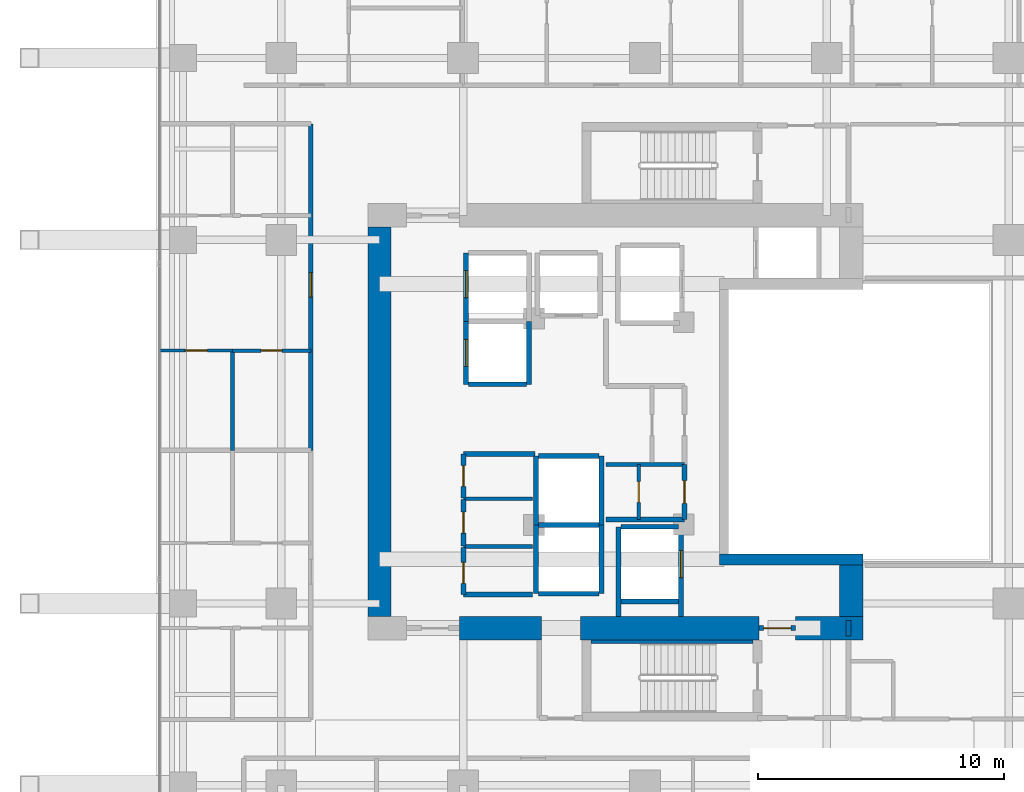
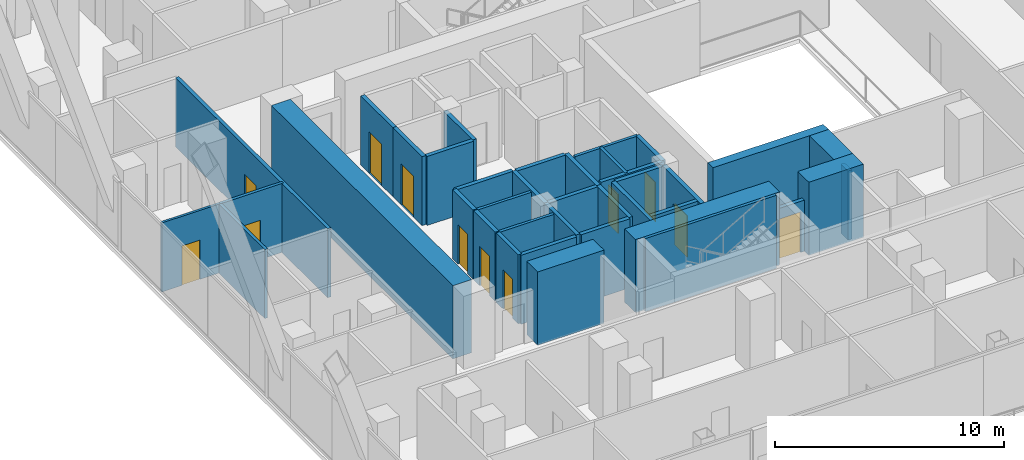
# One storey, part 25 of 32: 39 walls, 12 doors, 12 openings.
"""IFC4 building model written with IfcOpenShell, lengths in metres."""

from ifc_helpers import new_model, si_unit, direction, frame, frame_2d, origin, place, context, subcontext, project, spatial, rectangle, extrude, material, layer, layer_set, type_object, element, fill, save


model = new_model("IFC4")

# Units and contexts
model_context = context("Model", 3, precision=1e-05, world=origin(), true_north=direction((0.0, 1.0)))
body_context = subcontext(model_context, "Body", "Model", "MODEL_VIEW")
ifc_project = project(units=[si_unit("LENGTHUNIT", "METRE"), si_unit("AREAUNIT", "SQUARE_METRE"), si_unit("VOLUMEUNIT", "CUBIC_METRE"), si_unit("PLANEANGLEUNIT", "RADIAN"), si_unit("MASSUNIT", "GRAM", prefix="KILO")], contexts=[model_context])

# Site, building, storey
site_placement = place(None, origin())
site = spatial("IfcSite", under=ifc_project, at=site_placement, CompositionType="ELEMENT")
building_placement = place(site_placement, origin())
building = spatial("IfcBuilding", under=site, at=building_placement, Name="Khorvyn Point Tower", CompositionType="ELEMENT")
storey_placement = place(building_placement, frame((0.0, 0.0, 148.5)))
storey = spatial("IfcBuildingStorey", under=building, at=storey_placement, Name="L37", CompositionType="ELEMENT", Elevation=148.5)

# Wall, opening, door
ifc_material_1 = material(Name="Double acoustic gypsum on twin steel stud", Category="steel")
ifc_layer_1 = layer(ifc_material_1, 0.179931640625)
ifc_layer_set_1 = layer_set([ifc_layer_1], Name="Acoustic Double-Stud Apartment Demising Wall 180")
wall_type_1 = type_object("IfcWallType", Name="Acoustic Double-Stud Apartment Demising Wall 180", PredefinedType="PARTITIONING", material=ifc_layer_set_1)
wall_1_placement = place(storey_placement, frame((-13.60009765625, -1.1640625, 0.0), z_axis=(0.0, 0.0, 1.0), x_axis=(0.0, 1.0, 0.0)))
wall_1 = element("IfcWall", 1, at=wall_1_placement, inside=storey, type_object=wall_type_1, Name="Wall", PredefinedType="PARTITIONING", context=body_context, shape_type="SweptSolid", body=[
    extrude(rectangle(XDim=13.2841796875, YDim=0.179931640625, at=frame_2d((6.64208984375, 0.0))), origin(), (0.0, 0.0, 1.0), 3.679931640625),
])
opening_1_placement = place(wall_1_placement, frame((6.231201171875, 0.0, 0.0)))
opening_1 = element("IfcOpeningElement", 2, at=opening_1_placement, cuts=wall_1, Name="Opening ID-AP60", PredefinedType="OPENING", context=body_context, shape_type="SweptSolid", body=[
    extrude(rectangle(XDim=1.0, YDim=2.199951171875, at=frame_2d((0.5, 1.10009765625))), frame((0.0, 0.099853515625, 0.0), z_axis=(0.0, -1.0, 0.0), x_axis=(1.0, 0.0, 0.0)), (0.0, 0.0, 1.0), 0.199951171875),
])
ifc_material_2 = material(Name="Engineered hardwood fire-rated leaf", Category="wood")
door_type_1 = type_object("IfcDoorType", Name="Acoustic Solid-Core Timber Apartment Entrance Door 1000x2200", OperationType="NOTDEFINED", PredefinedType="DOOR", material=ifc_material_2)
door_1_placement = place(opening_1_placement, origin())
door_1 = element("IfcDoor", 3, at=door_1_placement, inside=storey, type_object=door_type_1, Name="Door", OperationType="SINGLE_SWING_LEFT", OverallHeight=2.199951171875, OverallWidth=1.0, PredefinedType="DOOR", context=body_context, shape_type="SweptSolid", body=[
    extrude(rectangle(XDim=1.0, YDim=2.199951171875, at=frame_2d((0.5, 1.10009765625))), frame((0.0, 0.02490234375, 0.0), z_axis=(0.0, -1.0, 0.0), x_axis=(1.0, 0.0, 0.0)), (0.0, 0.0, 1.0), 0.050048828125),
])
fill(opening_1, door_1)

# Wall
ifc_material_3 = material(Name="Concrete C40/50", Category="concrete")
ifc_layer_2 = layer(ifc_material_3, 0.449951171875)
ifc_layer_set_2 = layer_set([ifc_layer_2], Name="Concrete C40/50 Core Shear Wall 450")
wall_type_2 = type_object("IfcWallType", Name="Concrete C40/50 Core Shear Wall 450", PredefinedType="SHEAR", material=ifc_layer_set_2)
wall_2_placement = place(storey_placement, frame((3.044921875, -5.60009765625, 0.0), z_axis=(0.0, 0.0, 1.0), x_axis=(1.0, 0.0, 0.0)))
element("IfcWall", 4, at=wall_2_placement, inside=storey, type_object=wall_type_2, Name="Wall", PredefinedType="SHEAR", context=body_context, shape_type="SweptSolid", body=[
    extrude(rectangle(XDim=5.830078125, YDim=0.449951171875, at=frame_2d((2.9150390625, 0.0))), origin(), (0.0, 0.0, 1.0), 3.89990234375),
])

# Wall, opening, door
ifc_layer_3 = layer(ifc_material_3, 0.199951171875)
ifc_layer_set_3 = layer_set([ifc_layer_3], Name="Concrete C40/50 Fire-Lobby Compartment Wall 200")
wall_type_3 = type_object("IfcWallType", Name="Concrete C40/50 Fire-Lobby Compartment Wall 200", PredefinedType="SOLIDWALL", material=ifc_layer_set_3)
wall_3_placement = place(storey_placement, frame((4.64990234375, -8.39990234375, 0.0), z_axis=(0.0, 0.0, 1.0), x_axis=(1.0, 0.0, 0.0)))
wall_3 = element("IfcWall", 5, at=wall_3_placement, inside=storey, type_object=wall_type_3, Name="Wall", PredefinedType="SOLIDWALL", context=body_context, shape_type="SweptSolid", body=[
    extrude(rectangle(XDim=1.47021484375, YDim=0.199951171875, at=frame_2d((0.735107421875, 0.0))), origin(), (0.0, 0.0, 1.0), 2.719970703125),
])
opening_2_placement = place(wall_3_placement, frame((0.18505859375, 0.0, 0.0)))
opening_2 = element("IfcOpeningElement", 6, at=opening_2_placement, cuts=wall_3, Name="Opening ID-FL90", PredefinedType="OPENING", context=body_context, shape_type="SweptSolid", body=[
    extrude(rectangle(XDim=1.10009765625, YDim=2.14990234375, at=frame_2d((0.550048828125, 1.074951171875))), frame((0.0, 0.10986328125, 0.0), z_axis=(0.0, -1.0, 0.0), x_axis=(1.0, 0.0, 0.0)), (0.0, 0.0, 1.0), 0.219970703125),
])
ifc_material_4 = material(Name="Galvanised powder-coated steel", Category="steel")
door_type_2 = type_object("IfcDoorType", Name="Fire-Rated Steel Lobby and Stair Door 1100x2150", OperationType="NOTDEFINED", PredefinedType="DOOR", material=ifc_material_4)
door_2_placement = place(opening_2_placement, origin())
door_2 = element("IfcDoor", 7, at=door_2_placement, inside=storey, type_object=door_type_2, Name="Door", OperationType="SINGLE_SWING_RIGHT", OverallHeight=2.14990234375, OverallWidth=1.10009765625, PredefinedType="DOOR", context=body_context, shape_type="SweptSolid", body=[
    extrude(rectangle(XDim=1.10009765625, YDim=2.14990234375, at=frame_2d((0.550048828125, 1.074951171875))), frame((0.0, 0.02490234375, 0.0), z_axis=(0.0, -1.0, 0.0), x_axis=(1.0, 0.0, 0.0)), (0.0, 0.0, 1.0), 0.050048828125),
])
fill(opening_2, door_2)

wall_4_placement = place(storey_placement, frame((1.610107421875, -3.97998046875, 0.0), z_axis=(0.0, 0.0, 1.0), x_axis=(0.0, 1.0, 0.0)))
wall_4 = element("IfcWall", 8, at=wall_4_placement, inside=storey, type_object=wall_type_3, Name="Wall", PredefinedType="SOLIDWALL", context=body_context, shape_type="SweptSolid", body=[
    extrude(rectangle(XDim=2.240966796875, YDim=0.199951171875, at=frame_2d((1.12060546875, 0.0))), origin(), (0.0, 0.0, 1.0), 3.679931640625),
])
opening_3_placement = place(wall_4_placement, frame((0.660400390625, 0.0, 0.0)))
opening_3 = element("IfcOpeningElement", 9, at=opening_3_placement, cuts=wall_4, Name="Opening ID-RS60", PredefinedType="OPENING", context=body_context, shape_type="SweptSolid", body=[
    extrude(rectangle(XDim=0.919921875, YDim=2.10009765625, at=frame_2d((0.4599609375, 1.050048828125))), frame((0.0, 0.10986328125, 0.0), z_axis=(0.0, -1.0, 0.0), x_axis=(1.0, 0.0, 0.0)), (0.0, 0.0, 1.0), 0.219970703125),
])
door_type_3 = type_object("IfcDoorType", Name="Fire-Rated Riser and Store Steel Door 920x2100", OperationType="NOTDEFINED", PredefinedType="DOOR", material=ifc_material_4)
door_3_placement = place(opening_3_placement, origin())
door_3 = element("IfcDoor", 10, at=door_3_placement, inside=storey, type_object=door_type_3, Name="Door", OperationType="SINGLE_SWING_LEFT", OverallHeight=2.10009765625, OverallWidth=0.919921875, PredefinedType="DOOR", context=body_context, shape_type="SweptSolid", body=[
    extrude(rectangle(XDim=0.919921875, YDim=2.10009765625, at=frame_2d((0.4599609375, 1.050048828125))), frame((0.0, 0.02490234375, 0.0), z_axis=(0.0, -1.0, 0.0), x_axis=(1.0, 0.0, 0.0)), (0.0, 0.0, 1.0), 0.050048828125),
])
fill(opening_3, door_3)

wall_5_placement = place(storey_placement, frame((-7.3798828125, -7.0400390625, 0.0), z_axis=(0.0, 0.0, 1.0), x_axis=(0.0, 1.0, 0.0)))
wall_5 = element("IfcWall", 11, at=wall_5_placement, inside=storey, type_object=wall_type_3, Name="Wall", PredefinedType="SOLIDWALL", context=body_context, shape_type="SweptSolid", body=[
    extrude(rectangle(XDim=1.929931640625, YDim=0.199951171875, at=frame_2d((0.96484375, 0.0))), origin(), (0.0, 0.0, 1.0), 3.679931640625),
])
opening_4_placement = place(wall_5_placement, frame((0.464111328125, 0.0, 0.0)))
opening_4 = element("IfcOpeningElement", 12, at=opening_4_placement, cuts=wall_5, Name="Opening ID-WC85", PredefinedType="OPENING", context=body_context, shape_type="SweptSolid", body=[
    extrude(rectangle(XDim=0.85009765625, YDim=2.10009765625, at=frame_2d((0.425048828125, 1.050048828125))), frame((0.0, 0.10986328125, 0.0), z_axis=(0.0, -1.0, 0.0), x_axis=(1.0, 0.0, 0.0)), (0.0, 0.0, 1.0), 0.219970703125),
])
ifc_material_5 = material(Name="High-pressure laminate on moisture-resistant core", Category="wood")
door_type_4 = type_object("IfcDoorType", Name="Moisture-Resistant Accessible Washroom Door 850x2100", OperationType="NOTDEFINED", PredefinedType="DOOR", material=ifc_material_5)
door_4_placement = place(opening_4_placement, origin())
door_4 = element("IfcDoor", 13, at=door_4_placement, inside=storey, type_object=door_type_4, Name="Door", OperationType="SINGLE_SWING_LEFT", OverallHeight=2.10009765625, OverallWidth=0.85009765625, PredefinedType="DOOR", context=body_context, shape_type="SweptSolid", body=[
    extrude(rectangle(XDim=0.85009765625, YDim=2.10009765625, at=frame_2d((0.425048828125, 1.050048828125))), frame((0.0, 0.02490234375, 0.0), z_axis=(0.0, -1.0, 0.0), x_axis=(1.0, 0.0, 0.0)), (0.0, 0.0, 1.0), 0.050048828125),
])
fill(opening_4, door_4)

wall_6_placement = place(storey_placement, frame((-7.3798828125, -5.050048828125, 0.0), z_axis=(0.0, 0.0, 1.0), x_axis=(0.0, 1.0, 0.0)))
wall_6 = element("IfcWall", 14, at=wall_6_placement, inside=storey, type_object=wall_type_3, Name="Wall", PredefinedType="SOLIDWALL", context=body_context, shape_type="SweptSolid", body=[
    extrude(rectangle(XDim=1.89013671875, YDim=0.199951171875, at=frame_2d((0.945068359375, 0.0))), origin(), (0.0, 0.0, 1.0), 3.679931640625),
])
opening_5_placement = place(wall_6_placement, frame((0.52001953125, 0.0, 0.0)))
opening_5 = element("IfcOpeningElement", 15, at=opening_5_placement, cuts=wall_6, Name="Opening ID-WC85", PredefinedType="OPENING", context=body_context, shape_type="SweptSolid", body=[
    extrude(rectangle(XDim=0.85009765625, YDim=2.10009765625, at=frame_2d((0.425048828125, 1.050048828125))), frame((0.0, 0.10986328125, 0.0), z_axis=(0.0, -1.0, 0.0), x_axis=(1.0, 0.0, 0.0)), (0.0, 0.0, 1.0), 0.219970703125),
])
door_5_placement = place(opening_5_placement, origin())
door_5 = element("IfcDoor", 16, at=door_5_placement, inside=storey, type_object=door_type_4, Name="Door", OperationType="SINGLE_SWING_RIGHT", OverallHeight=2.10009765625, OverallWidth=0.85009765625, PredefinedType="DOOR", context=body_context, shape_type="SweptSolid", body=[
    extrude(rectangle(XDim=0.85009765625, YDim=2.10009765625, at=frame_2d((0.425048828125, 1.050048828125))), frame((0.0, 0.02490234375, 0.0), z_axis=(0.0, -1.0, 0.0), x_axis=(1.0, 0.0, 0.0)), (0.0, 0.0, 1.0), 0.050048828125),
])
fill(opening_5, door_5)

wall_7_placement = place(storey_placement, frame((-7.3798828125, -3.10009765625, 0.0), z_axis=(0.0, 0.0, 1.0), x_axis=(0.0, 1.0, 0.0)))
wall_7 = element("IfcWall", 17, at=wall_7_placement, inside=storey, type_object=wall_type_3, Name="Wall", PredefinedType="SOLIDWALL", context=body_context, shape_type="SweptSolid", body=[
    extrude(rectangle(XDim=1.780029296875, YDim=0.199951171875, at=frame_2d((0.89013671875, 0.0))), origin(), (0.0, 0.0, 1.0), 3.679931640625),
])
opening_6_placement = place(wall_7_placement, frame((0.465087890625, 0.0, 0.0)))
opening_6 = element("IfcOpeningElement", 18, at=opening_6_placement, cuts=wall_7, Name="Opening ID-WC85", PredefinedType="OPENING", context=body_context, shape_type="SweptSolid", body=[
    extrude(rectangle(XDim=0.85009765625, YDim=2.10009765625, at=frame_2d((0.425048828125, 1.050048828125))), frame((0.0, 0.10986328125, 0.0), z_axis=(0.0, -1.0, 0.0), x_axis=(1.0, 0.0, 0.0)), (0.0, 0.0, 1.0), 0.219970703125),
])
door_6_placement = place(opening_6_placement, origin())
door_6 = element("IfcDoor", 19, at=door_6_placement, inside=storey, type_object=door_type_4, Name="Door", OperationType="SINGLE_SWING_LEFT", OverallHeight=2.10009765625, OverallWidth=0.85009765625, PredefinedType="DOOR", context=body_context, shape_type="SweptSolid", body=[
    extrude(rectangle(XDim=0.85009765625, YDim=2.10009765625, at=frame_2d((0.425048828125, 1.050048828125))), frame((0.0, 0.02490234375, 0.0), z_axis=(0.0, -1.0, 0.0), x_axis=(1.0, 0.0, 0.0)), (0.0, 0.0, 1.0), 0.050048828125),
])
fill(opening_6, door_6)

# Walls
wall_8_placement = place(storey_placement, frame((-7.3798828125, -1.320068359375, 0.0), z_axis=(0.0, 0.0, 1.0), x_axis=(1.0, 0.0, 0.0)))
element("IfcWall", 20, at=wall_8_placement, inside=storey, type_object=wall_type_3, Name="Wall", PredefinedType="SOLIDWALL", context=body_context, shape_type="SweptSolid", body=[
    extrude(rectangle(XDim=2.909912109375, YDim=0.199951171875, at=frame_2d((1.455078125, 0.0))), origin(), (0.0, 0.0, 1.0), 3.679931640625),
])
wall_9_placement = place(storey_placement, frame((-1.580078125, -3.97998046875, 0.0), z_axis=(0.0, 0.0, 1.0), x_axis=(1.0, 0.0, 0.0)))
element("IfcWall", 21, at=wall_9_placement, inside=storey, type_object=wall_type_3, Name="Wall", PredefinedType="SOLIDWALL", context=body_context, shape_type="SweptSolid", body=[
    extrude(rectangle(XDim=3.190185546875, YDim=0.199951171875, at=frame_2d((1.59521484375, 0.0))), origin(), (0.0, 0.0, 1.0), 3.679931640625),
])
wall_10_placement = place(storey_placement, frame((-7.3798828125, -7.0400390625, 0.0), z_axis=(0.0, 0.0, 1.0), x_axis=(1.0, 0.0, 0.0)))
element("IfcWall", 22, at=wall_10_placement, inside=storey, type_object=wall_type_3, Name="Wall", PredefinedType="SOLIDWALL", context=body_context, shape_type="SweptSolid", body=[
    extrude(rectangle(XDim=2.7998046875, YDim=0.199951171875, at=frame_2d((1.39990234375, 0.0))), origin(), (0.0, 0.0, 1.0), 3.679931640625),
])
wall_11_placement = place(storey_placement, frame((8.280029296875, -8.72509765625, 0.0), z_axis=(0.0, 0.0, 1.0), x_axis=(0.0, 1.0, 0.0)))
element("IfcWall", 23, at=wall_11_placement, inside=storey, type_object=wall_type_3, Name="Wall", PredefinedType="SOLIDWALL", context=body_context, shape_type="SweptSolid", body=[
    extrude(rectangle(XDim=0.625, YDim=0.199951171875, at=frame_2d((0.3125, 0.0))), origin(), (0.0, 0.0, 1.0), 3.679931640625),
])
ifc_layer_4 = layer(ifc_material_3, 0.25)
ifc_layer_set_4 = layer_set([ifc_layer_4], Name="Concrete C40/50 Stair Inner Cheek Structural Wall 250")
wall_type_4 = type_object("IfcWallType", Name="Concrete C40/50 Stair Inner Cheek Structural Wall 250", PredefinedType="SHEAR", material=ifc_layer_set_4)
wall_12_placement = place(storey_placement, frame((-2.199951171875, -8.949951171875, 0.0), z_axis=(0.0, 0.0, 1.0), x_axis=(1.0, 0.0, 0.0)))
element("IfcWall", 24, at=wall_12_placement, inside=storey, type_object=wall_type_4, Name="Wall", PredefinedType="SHEAR", context=body_context, shape_type="SweptSolid", body=[
    extrude(rectangle(XDim=6.599853515625, YDim=0.14990234375, at=frame_2d((3.2998046875, 0.0))), origin(), (0.0, 0.0, 1.0), 3.89990234375),
])

# Wall, opening, door
ifc_layer_5 = layer(ifc_material_3, 0.199951171875)
ifc_layer_set_5 = layer_set([ifc_layer_5], Name="Concrete C40/50 Structural Hoistway and Stair Shaft Wall 200")
wall_type_5 = type_object("IfcWallType", Name="Concrete C40/50 Structural Hoistway and Stair Shaft Wall 200", PredefinedType="SHEAR", material=ifc_layer_set_5)
wall_13_placement = place(storey_placement, frame((-7.27490234375, 1.52490234375, 0.0), z_axis=(0.0, 0.0, 1.0), x_axis=(0.0, 1.0, 0.0)))
wall_13 = element("IfcWall", 25, at=wall_13_placement, inside=storey, type_object=wall_type_5, Name="Wall", PredefinedType="SHEAR", context=body_context, shape_type="SweptSolid", body=[
    extrude(rectangle(XDim=2.550048828125, YDim=0.199951171875, at=frame_2d((1.27490234375, 0.0))), origin(), (0.0, 0.0, 1.0), 3.679931640625),
])
opening_7_placement = place(wall_13_placement, frame((0.72509765625, 0.0, 0.0)))
opening_7 = element("IfcOpeningElement", 26, at=opening_7_placement, cuts=wall_13, Name="Opening LD-1122", PredefinedType="OPENING", context=body_context, shape_type="SweptSolid", body=[
    extrude(rectangle(XDim=1.10009765625, YDim=2.199951171875, at=frame_2d((0.550048828125, 1.10009765625))), frame((0.0, 0.10986328125, 0.0), z_axis=(0.0, -1.0, 0.0), x_axis=(1.0, 0.0, 0.0)), (0.0, 0.0, 1.0), 0.219970703125),
])
ifc_material_6 = material(Name="Stainless steel 1.4301", Category="steel")
door_type_5 = type_object("IfcDoorType", Name="Stainless Steel Automatic Sliding Lift Landing Door 1100x2200", OperationType="SLIDING_TO_LEFT", PredefinedType="DOOR", material=ifc_material_6)
door_7_placement = place(opening_7_placement, origin())
door_7 = element("IfcDoor", 27, at=door_7_placement, inside=storey, type_object=door_type_5, Name="L37 RM-01 Sliding Lift Landing Door", OperationType="SLIDING_TO_LEFT", OverallHeight=2.199951171875, OverallWidth=1.10009765625, PredefinedType="DOOR", context=body_context, shape_type="SweptSolid", body=[
    extrude(rectangle(XDim=1.10009765625, YDim=2.199951171875, at=frame_2d((0.550048828125, 1.10009765625))), frame((0.0, 0.02490234375, 0.0), z_axis=(0.0, -1.0, 0.0), x_axis=(1.0, 0.0, 0.0)), (0.0, 0.0, 1.0), 0.050048828125),
])
fill(opening_7, door_7)

# Walls
wall_14_placement = place(storey_placement, frame((-4.72509765625, 1.52490234375, 0.0), z_axis=(0.0, 0.0, 1.0), x_axis=(0.0, 1.0, 0.0)))
element("IfcWall", 28, at=wall_14_placement, inside=storey, type_object=wall_type_5, Name="Wall", PredefinedType="SHEAR", context=body_context, shape_type="SweptSolid", body=[
    extrude(rectangle(XDim=2.550048828125, YDim=0.199951171875, at=frame_2d((1.27490234375, 0.0))), origin(), (0.0, 0.0, 1.0), 3.679931640625),
])
wall_15_placement = place(storey_placement, frame((-7.175048828125, 1.52490234375, 0.0), z_axis=(0.0, 0.0, 1.0), x_axis=(1.0, 0.0, 0.0)))
element("IfcWall", 29, at=wall_15_placement, inside=storey, type_object=wall_type_5, Name="Wall", PredefinedType="SHEAR", context=body_context, shape_type="SweptSolid", body=[
    extrude(rectangle(XDim=2.35009765625, YDim=0.199951171875, at=frame_2d((1.175048828125, 0.0))), origin(), (0.0, 0.0, 1.0), 3.679931640625),
])

# Wall, opening, door
wall_16_placement = place(storey_placement, frame((-7.27490234375, 4.074951171875, 0.0), z_axis=(0.0, 0.0, 1.0), x_axis=(0.0, 1.0, 0.0)))
wall_16 = element("IfcWall", 30, at=wall_16_placement, inside=storey, type_object=wall_type_5, Name="Wall", PredefinedType="SHEAR", context=body_context, shape_type="SweptSolid", body=[
    extrude(rectangle(XDim=2.800048828125, YDim=0.199951171875, at=frame_2d((1.39990234375, 0.0))), origin(), (0.0, 0.0, 1.0), 3.679931640625),
])
opening_8_placement = place(wall_16_placement, frame((0.97509765625, 0.0, 0.0)))
opening_8 = element("IfcOpeningElement", 31, at=opening_8_placement, cuts=wall_16, Name="Opening LD-1122", PredefinedType="OPENING", context=body_context, shape_type="SweptSolid", body=[
    extrude(rectangle(XDim=1.10009765625, YDim=2.199951171875, at=frame_2d((0.550048828125, 1.10009765625))), frame((0.0, 0.10986328125, 0.0), z_axis=(0.0, -1.0, 0.0), x_axis=(1.0, 0.0, 0.0)), (0.0, 0.0, 1.0), 0.219970703125),
])
door_8_placement = place(opening_8_placement, origin())
door_8 = element("IfcDoor", 32, at=door_8_placement, inside=storey, type_object=door_type_5, Name="L37 RM-02 Sliding Lift Landing Door", OperationType="SLIDING_TO_LEFT", OverallHeight=2.199951171875, OverallWidth=1.10009765625, PredefinedType="DOOR", context=body_context, shape_type="SweptSolid", body=[
    extrude(rectangle(XDim=1.10009765625, YDim=2.199951171875, at=frame_2d((0.550048828125, 1.10009765625))), frame((0.0, 0.02490234375, 0.0), z_axis=(0.0, -1.0, 0.0), x_axis=(1.0, 0.0, 0.0)), (0.0, 0.0, 1.0), 0.050048828125),
])
fill(opening_8, door_8)

# Walls
for number, where, z_axis, x_axis, name in (
    (33, (-4.425048828125, -7.0, 0.0), (0.0, 0.0, 1.0), (0.0, 1.0, 0.0), "Wall"),
    (34, (-1.77490234375, -7.0, 0.0), (0.0, 0.0, 1.0), (0.0, 1.0, 0.0), "Wall"),
):
    element("IfcWall", number, at=place(storey_placement, frame(where, z_axis=z_axis, x_axis=x_axis)), inside=storey, type_object=wall_type_5, Name=name, PredefinedType="SHEAR", context=body_context, shape_type="SweptSolid", body=[
        extrude(rectangle(XDim=2.800048828125, YDim=0.199951171875, at=frame_2d((1.39990234375, 0.0))), origin(), (0.0, 0.0, 1.0), 3.679931640625),
    ])
for number, where, z_axis, x_axis, name in (
    (35, (-4.324951171875, -7.0, 0.0), (0.0, 0.0, 1.0), (1.0, 0.0, 0.0), "Wall"),
    (36, (-4.324951171875, -4.199951171875, 0.0), (0.0, 0.0, 1.0), (1.0, 0.0, 0.0), "Wall"),
):
    element("IfcWall", number, at=place(storey_placement, frame(where, z_axis=z_axis, x_axis=x_axis)), inside=storey, type_object=wall_type_5, Name=name, PredefinedType="SHEAR", context=body_context, shape_type="SweptSolid", body=[
        extrude(rectangle(XDim=2.449951171875, YDim=0.199951171875, at=frame_2d((1.22509765625, 0.0))), origin(), (0.0, 0.0, 1.0), 3.679931640625),
    ])
for number, where, z_axis, x_axis, name in (
    (37, (-4.425048828125, -4.199951171875, 0.0), (0.0, 0.0, 1.0), (0.0, 1.0, 0.0), "Wall"),
    (38, (-1.77490234375, -4.199951171875, 0.0), (0.0, 0.0, 1.0), (0.0, 1.0, 0.0), "Wall"),
):
    element("IfcWall", number, at=place(storey_placement, frame(where, z_axis=z_axis, x_axis=x_axis)), inside=storey, type_object=wall_type_5, Name=name, PredefinedType="SHEAR", context=body_context, shape_type="SweptSolid", body=[
        extrude(rectangle(XDim=2.800048828125, YDim=0.199951171875, at=frame_2d((1.39990234375, 0.0))), origin(), (0.0, 0.0, 1.0), 3.679931640625),
    ])
wall_17_placement = place(storey_placement, frame((-4.324951171875, -1.39990234375, 0.0), z_axis=(0.0, 0.0, 1.0), x_axis=(1.0, 0.0, 0.0)))
element("IfcWall", 39, at=wall_17_placement, inside=storey, type_object=wall_type_5, Name="Wall", PredefinedType="SHEAR", context=body_context, shape_type="SweptSolid", body=[
    extrude(rectangle(XDim=2.449951171875, YDim=0.199951171875, at=frame_2d((1.22509765625, 0.0))), origin(), (0.0, 0.0, 1.0), 3.679931640625),
])
wall_18_placement = place(storey_placement, frame((-1.074951171875, -7.925048828125, 0.0), z_axis=(0.0, 0.0, 1.0), x_axis=(0.0, 1.0, 0.0)))
element("IfcWall", 40, at=wall_18_placement, inside=storey, type_object=wall_type_5, Name="Wall", PredefinedType="SHEAR", context=body_context, shape_type="SweptSolid", body=[
    extrude(rectangle(XDim=3.650146484375, YDim=0.199951171875, at=frame_2d((1.8251953125, 0.0))), origin(), (0.0, 0.0, 1.0), 3.679931640625),
])

# Wall, opening, door
wall_19_placement = place(storey_placement, frame((1.47509765625, -7.925048828125, 0.0), z_axis=(0.0, 0.0, 1.0), x_axis=(0.0, 1.0, 0.0)))
wall_19 = element("IfcWall", 41, at=wall_19_placement, inside=storey, type_object=wall_type_5, Name="Wall", PredefinedType="SHEAR", context=body_context, shape_type="SweptSolid", body=[
    extrude(rectangle(XDim=3.650146484375, YDim=0.199951171875, at=frame_2d((1.8251953125, 0.0))), origin(), (0.0, 0.0, 1.0), 3.679931640625),
])
opening_9_placement = place(wall_19_placement, frame((1.574951171875, 0.0, 0.0)))
opening_9 = element("IfcOpeningElement", 42, at=opening_9_placement, cuts=wall_19, Name="Opening LD-1122", PredefinedType="OPENING", context=body_context, shape_type="SweptSolid", body=[
    extrude(rectangle(XDim=1.10009765625, YDim=2.199951171875, at=frame_2d((0.550048828125, 1.10009765625))), frame((0.0, 0.10986328125, 0.0), z_axis=(0.0, -1.0, 0.0), x_axis=(1.0, 0.0, 0.0)), (0.0, 0.0, 1.0), 0.219970703125),
])
door_9_placement = place(opening_9_placement, origin())
door_9 = element("IfcDoor", 43, at=door_9_placement, inside=storey, type_object=door_type_5, Name="L37 FF-01 Sliding Lift Landing Door", OperationType="SLIDING_TO_LEFT", OverallHeight=2.199951171875, OverallWidth=1.10009765625, PredefinedType="DOOR", context=body_context, shape_type="SweptSolid", body=[
    extrude(rectangle(XDim=1.10009765625, YDim=2.199951171875, at=frame_2d((0.550048828125, 1.10009765625))), frame((0.0, 0.02490234375, 0.0), z_axis=(0.0, -1.0, 0.0), x_axis=(1.0, 0.0, 0.0)), (0.0, 0.0, 1.0), 0.050048828125),
])
fill(opening_9, door_9)

# Walls
for number, where, z_axis, x_axis, name in (
    (44, (-0.97509765625, -7.324951171875, 0.0), (0.0, 0.0, 1.0), (1.0, 0.0, 0.0), "Wall"),
    (45, (-0.97509765625, -4.27490234375, 0.0), (0.0, 0.0, 1.0), (1.0, 0.0, 0.0), "Wall"),
):
    element("IfcWall", number, at=place(storey_placement, frame(where, z_axis=z_axis, x_axis=x_axis)), inside=storey, type_object=wall_type_5, Name=name, PredefinedType="SHEAR", context=body_context, shape_type="SweptSolid", body=[
        extrude(rectangle(XDim=2.35009765625, YDim=0.199951171875, at=frame_2d((1.175048828125, 0.0))), origin(), (0.0, 0.0, 1.0), 3.679931640625),
    ])
ifc_material_7 = material(Name="Concrete C50/60", Category="concrete")
ifc_layer_6 = layer(ifc_material_7, 0.949951171875)
ifc_layer_set_6 = layer_set([ifc_layer_6], Name="Concrete C50/60 Core Shear Wall 950")
wall_type_6 = type_object("IfcWallType", Name="Concrete C50/60 Core Shear Wall 950", PredefinedType="SHEAR", material=ifc_layer_set_6)
wall_20_placement = place(storey_placement, frame((-7.550048828125, -8.39990234375, 0.0), z_axis=(0.0, 0.0, 1.0), x_axis=(1.0, 0.0, 0.0)))
element("IfcWall", 46, at=wall_20_placement, inside=storey, type_object=wall_type_6, Name="Wall", PredefinedType="SHEAR", context=body_context, shape_type="SweptSolid", body=[
    extrude(rectangle(XDim=3.35009765625, YDim=0.949951171875, at=frame_2d((1.675048828125, 0.0))), origin(), (0.0, 0.0, 1.0), 3.89990234375),
])
wall_21_placement = place(storey_placement, frame((-2.6201171875, -8.39990234375, 0.0), z_axis=(0.0, 0.0, 1.0), x_axis=(1.0, 0.0, 0.0)))
element("IfcWall", 47, at=wall_21_placement, inside=storey, type_object=wall_type_6, Name="Wall", PredefinedType="SHEAR", context=body_context, shape_type="SweptSolid", body=[
    extrude(rectangle(XDim=7.27001953125, YDim=0.949951171875, at=frame_2d((3.635009765625, 0.0))), origin(), (0.0, 0.0, 1.0), 3.89990234375),
])
wall_22_placement = place(storey_placement, frame((6.1201171875, -8.39990234375, 0.0), z_axis=(0.0, 0.0, 1.0), x_axis=(1.0, 0.0, 0.0)))
element("IfcWall", 48, at=wall_22_placement, inside=storey, type_object=wall_type_6, Name="Wall", PredefinedType="SHEAR", context=body_context, shape_type="SweptSolid", body=[
    extrude(rectangle(XDim=2.7548828125, YDim=0.949951171875, at=frame_2d((1.37744140625, 0.0))), origin(), (0.0, 0.0, 1.0), 3.89990234375),
])
wall_23_placement = place(storey_placement, frame((-10.800048828125, -7.925048828125, 0.0), z_axis=(0.0, 0.0, 1.0), x_axis=(0.0, 1.0, 0.0)))
element("IfcWall", 49, at=wall_23_placement, inside=storey, type_object=wall_type_6, Name="Wall", PredefinedType="SHEAR", context=body_context, shape_type="SweptSolid", body=[
    extrude(rectangle(XDim=15.85009765625, YDim=0.949951171875, at=frame_2d((7.925048828125, 0.0))), origin(), (0.0, 0.0, 1.0), 3.89990234375),
])
wall_24_placement = place(storey_placement, frame((8.39990234375, -7.925048828125, 0.0), z_axis=(0.0, 0.0, 1.0), x_axis=(0.0, 1.0, 0.0)))
element("IfcWall", 50, at=wall_24_placement, inside=storey, type_object=wall_type_6, Name="Wall", PredefinedType="SHEAR", context=body_context, shape_type="SweptSolid", body=[
    extrude(rectangle(XDim=2.10009765625, YDim=0.949951171875, at=frame_2d((1.050048828125, 0.0))), origin(), (0.0, 0.0, 1.0), 3.89990234375),
])

# Wall, opening, door
ifc_material_8 = material(Name="Gypsum plasterboard on steel stud", Category="steel")
ifc_layer_7 = layer(ifc_material_8, 0.1201171875)
ifc_layer_set_7 = layer_set([ifc_layer_7], Name="Gypsum Acoustic Stud Room Partition Wall 120")
wall_type_7 = type_object("IfcWallType", Name="Gypsum Acoustic Stud Room Partition Wall 120", PredefinedType="PARTITIONING", material=ifc_layer_set_7)
wall_25_placement = place(storey_placement, frame((-19.72998046875, 2.89404296875, 0.0), z_axis=(0.0, 0.0, 1.0), x_axis=(1.0, 0.0, 0.0)))
wall_25 = element("IfcWall", 51, at=wall_25_placement, inside=storey, type_object=wall_type_7, Name="Wall", PredefinedType="PARTITIONING", context=body_context, shape_type="SweptSolid", body=[
    extrude(rectangle(XDim=2.946044921875, YDim=0.1201171875, at=frame_2d((1.47314453125, 0.0))), origin(), (0.0, 0.0, 1.0), 3.679931640625),
])
opening_10_placement = place(wall_25_placement, frame((1.02294921875, 0.0, 0.0)))
opening_10 = element("IfcOpeningElement", 52, at=opening_10_placement, cuts=wall_25, Name="Opening ID-RM90", PredefinedType="OPENING", context=body_context, shape_type="SweptSolid", body=[
    extrude(rectangle(XDim=0.89990234375, YDim=2.10009765625, at=frame_2d((0.449951171875, 1.050048828125))), frame((0.0, 0.070068359375, 0.0), z_axis=(0.0, -1.0, 0.0), x_axis=(1.0, 0.0, 0.0)), (0.0, 0.0, 1.0), 0.14013671875),
])
ifc_material_9 = material(Name="Engineered oak veneer timber", Category="wood")
door_type_6 = type_object("IfcDoorType", Name="Flush Engineered Timber Room Door 900x2100", OperationType="NOTDEFINED", PredefinedType="DOOR", material=ifc_material_9)
door_10_placement = place(opening_10_placement, origin())
door_10 = element("IfcDoor", 53, at=door_10_placement, inside=storey, type_object=door_type_6, Name="Door", OperationType="SINGLE_SWING_RIGHT", OverallHeight=2.10009765625, OverallWidth=0.89990234375, PredefinedType="DOOR", context=body_context, shape_type="SweptSolid", body=[
    extrude(rectangle(XDim=0.89990234375, YDim=2.10009765625, at=frame_2d((0.449951171875, 1.050048828125))), frame((0.0, 0.02490234375, 0.0), z_axis=(0.0, -1.0, 0.0), x_axis=(1.0, 0.0, 0.0)), (0.0, 0.0, 1.0), 0.050048828125),
])
fill(opening_10, door_10)

ifc_material_10 = material(Name="Moisture-resistant gypsum and cement board", Category="gypsum")
ifc_layer_8 = layer(ifc_material_10, 0.14990234375)
ifc_layer_set_8 = layer_set([ifc_layer_8], Name="Moisture-Resistant Wet-Room Partition Wall 150")
wall_type_8 = type_object("IfcWallType", Name="Moisture-Resistant Wet-Room Partition Wall 150", PredefinedType="PARTITIONING", material=ifc_layer_set_8)
wall_26_placement = place(storey_placement, frame((-0.25, -3.97998046875, 0.0), z_axis=(0.0, 0.0, 1.0), x_axis=(0.0, 1.0, 0.0)))
wall_26 = element("IfcWall", 54, at=wall_26_placement, inside=storey, type_object=wall_type_8, Name="Wall", PredefinedType="PARTITIONING", context=body_context, shape_type="SweptSolid", body=[
    extrude(rectangle(XDim=2.240966796875, YDim=0.14990234375, at=frame_2d((1.12060546875, 0.0))), origin(), (0.0, 0.0, 1.0), 3.679931640625),
])
opening_11_placement = place(wall_26_placement, frame((0.695556640625, 0.0, 0.0)))
opening_11 = element("IfcOpeningElement", 55, at=opening_11_placement, cuts=wall_26, Name="Opening ID-WC85", PredefinedType="OPENING", context=body_context, shape_type="SweptSolid", body=[
    extrude(rectangle(XDim=0.85009765625, YDim=2.10009765625, at=frame_2d((0.425048828125, 1.050048828125))), frame((0.0, 0.0849609375, 0.0), z_axis=(0.0, -1.0, 0.0), x_axis=(1.0, 0.0, 0.0)), (0.0, 0.0, 1.0), 0.169921875),
])
door_11_placement = place(opening_11_placement, origin())
door_11 = element("IfcDoor", 56, at=door_11_placement, inside=storey, type_object=door_type_4, Name="Door", OperationType="SINGLE_SWING_LEFT", OverallHeight=2.10009765625, OverallWidth=0.85009765625, PredefinedType="DOOR", context=body_context, shape_type="SweptSolid", body=[
    extrude(rectangle(XDim=0.85009765625, YDim=2.10009765625, at=frame_2d((0.425048828125, 1.050048828125))), frame((0.0, 0.02490234375, 0.0), z_axis=(0.0, -1.0, 0.0), x_axis=(1.0, 0.0, 0.0)), (0.0, 0.0, 1.0), 0.050048828125),
])
fill(opening_11, door_11)

wall_27_placement = place(storey_placement, frame((-16.783935546875, 2.89404296875, 0.0), z_axis=(0.0, 0.0, 1.0), x_axis=(1.0, 0.0, 0.0)))
wall_27 = element("IfcWall", 57, at=wall_27_placement, inside=storey, type_object=wall_type_8, Name="Wall", PredefinedType="PARTITIONING", context=body_context, shape_type="SweptSolid", body=[
    extrude(rectangle(XDim=3.183837890625, YDim=0.14990234375, at=frame_2d((1.591796875, 0.0))), origin(), (0.0, 0.0, 1.0), 3.679931640625),
])
opening_12_placement = place(wall_27_placement, frame((1.1669921875, 0.0, 0.0)))
opening_12 = element("IfcOpeningElement", 58, at=opening_12_placement, cuts=wall_27, Name="Opening ID-WC85", PredefinedType="OPENING", context=body_context, shape_type="SweptSolid", body=[
    extrude(rectangle(XDim=0.85009765625, YDim=2.10009765625, at=frame_2d((0.425048828125, 1.050048828125))), frame((0.0, 0.0849609375, 0.0), z_axis=(0.0, -1.0, 0.0), x_axis=(1.0, 0.0, 0.0)), (0.0, 0.0, 1.0), 0.169921875),
])
door_12_placement = place(opening_12_placement, origin())
door_12 = element("IfcDoor", 59, at=door_12_placement, inside=storey, type_object=door_type_4, Name="Door", OperationType="SINGLE_SWING_LEFT", OverallHeight=2.10009765625, OverallWidth=0.85009765625, PredefinedType="DOOR", context=body_context, shape_type="SweptSolid", body=[
    extrude(rectangle(XDim=0.85009765625, YDim=2.10009765625, at=frame_2d((0.425048828125, 1.050048828125))), frame((0.0, 0.02490234375, 0.0), z_axis=(0.0, -1.0, 0.0), x_axis=(1.0, 0.0, 0.0)), (0.0, 0.0, 1.0), 0.050048828125),
])
fill(opening_12, door_12)

# Walls
wall_28_placement = place(storey_placement, frame((-1.580078125, -1.739013671875, 0.0), z_axis=(0.0, 0.0, 1.0), x_axis=(1.0, 0.0, 0.0)))
element("IfcWall", 60, at=wall_28_placement, inside=storey, type_object=wall_type_8, Name="Wall", PredefinedType="PARTITIONING", context=body_context, shape_type="SweptSolid", body=[
    extrude(rectangle(XDim=3.190185546875, YDim=0.14990234375, at=frame_2d((1.59521484375, 0.0))), origin(), (0.0, 0.0, 1.0), 3.679931640625),
])
for number, where, z_axis, x_axis, name in (
    (61, (-7.3798828125, -5.080078125, 0.0), (0.0, 0.0, 1.0), (1.0, 0.0, 0.0), "Wall"),
    (62, (-7.3798828125, -3.1298828125, 0.0), (0.0, 0.0, 1.0), (1.0, 0.0, 0.0), "Wall"),
):
    element("IfcWall", number, at=place(storey_placement, frame(where, z_axis=z_axis, x_axis=x_axis)), inside=storey, type_object=wall_type_8, Name=name, PredefinedType="PARTITIONING", context=body_context, shape_type="SweptSolid", body=[
        extrude(rectangle(XDim=2.7998046875, YDim=0.14990234375, at=frame_2d((1.39990234375, 0.0))), origin(), (0.0, 0.0, 1.0), 3.679931640625),
    ])
wall_29_placement = place(storey_placement, frame((-16.783935546875, -1.1640625, 0.0), z_axis=(0.0, 0.0, 1.0), x_axis=(0.0, 1.0, 0.0)))
element("IfcWall", 63, at=wall_29_placement, inside=storey, type_object=wall_type_8, Name="Wall", PredefinedType="PARTITIONING", context=body_context, shape_type="SweptSolid", body=[
    extrude(rectangle(XDim=4.05810546875, YDim=0.14990234375, at=frame_2d((2.029052734375, 0.0))), origin(), (0.0, 0.0, 1.0), 3.679931640625),
])

save(model, "model.ifc")
